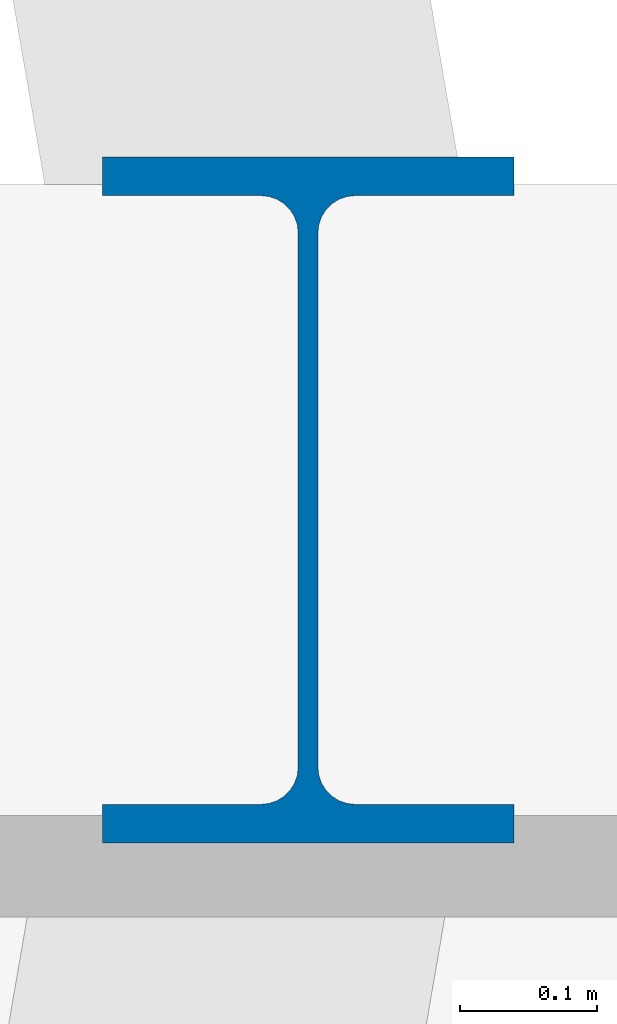
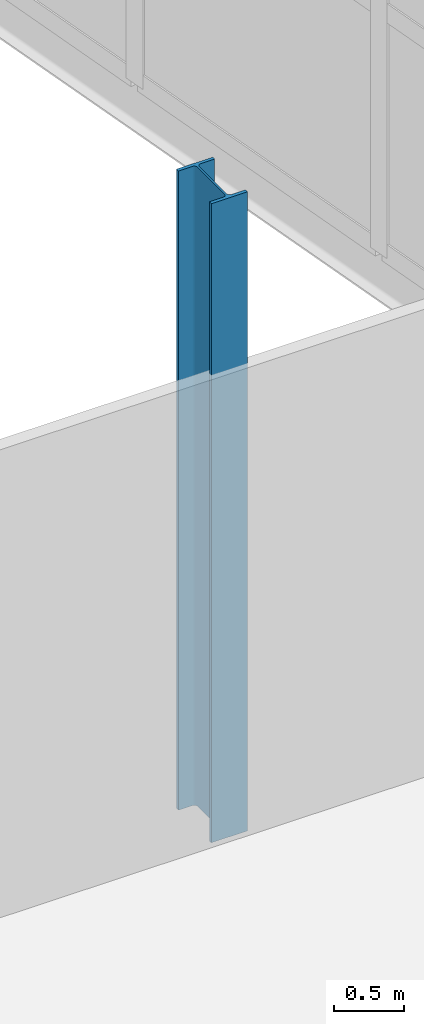
# One storey, part 9 of 99: 1 column.
"""IFC4 building model written with IfcOpenShell, lengths in metres."""

from ifc_helpers import new_model, si_unit, direction, frame, origin, origin_2d, place, context, subcontext, project, spatial, i_section, extrude, material, material_profile, profile_set, type_object, element, save


model = new_model("IFC4")

# Units and contexts
model_context = context("Model", 3, precision=1e-05, world=origin(), true_north=direction((0.0, 1.0)))
body_context = subcontext(model_context, "Body", "Model", "MODEL_VIEW")
ifc_project = project(units=[si_unit("LENGTHUNIT", "METRE"), si_unit("AREAUNIT", "SQUARE_METRE"), si_unit("VOLUMEUNIT", "CUBIC_METRE"), si_unit("PLANEANGLEUNIT", "RADIAN"), si_unit("MASSUNIT", "GRAM", prefix="KILO")], contexts=[model_context])

# Site, building, storey
site_placement = place(None, origin())
site = spatial("IfcSite", under=ifc_project, at=site_placement, CompositionType="ELEMENT")
building_placement = place(site_placement, origin())
building = spatial("IfcBuilding", under=site, at=building_placement, Name="Zlatoyarsky Gate Stadium", CompositionType="ELEMENT")
storey_placement = place(building_placement, frame((0.0, 0.0, 26.199951171875)))
storey = spatial("IfcBuildingStorey", under=building, at=storey_placement, Name="L05", CompositionType="ELEMENT", Elevation=26.199951171875)

# Column
ifc_material = material(Name="Steel S355", Category="steel")
ifc_material_profile = material_profile(ifc_material, i_section(OverallWidth=0.300048828125, OverallDepth=0.5, WebThickness=0.014404296875, FlangeThickness=0.028076171875, FilletRadius=0.027099609375, at=origin_2d()), Name="HEB 500")
ifc_profile_set = profile_set([ifc_material_profile], Name="Steel S355")
column_type = type_object("IfcColumnType", Name="STEEL COLUMN HEB 500", PredefinedType="COLUMN", material=ifc_profile_set)
column_placement = place(storey_placement, frame((204.0, 80.0, 0.0), z_axis=(0.0, 0.0, 1.0), x_axis=(1.0, 0.0, 0.0)))
element("IfcColumn", 1, at=column_placement, inside=storey, type_object=column_type, Name="Column ST-C500 RC-00 on L05", PredefinedType="COLUMN", context=body_context, shape_type="SweptSolid", body=[
    extrude(i_section(OverallWidth=0.300048828125, OverallDepth=0.5, WebThickness=0.014404296875, FlangeThickness=0.028076171875, FilletRadius=0.027099609375, at=origin_2d()), origin(), (0.0, 0.0, 1.0), 5.60009765625),
])

save(model, "model.ifc")
